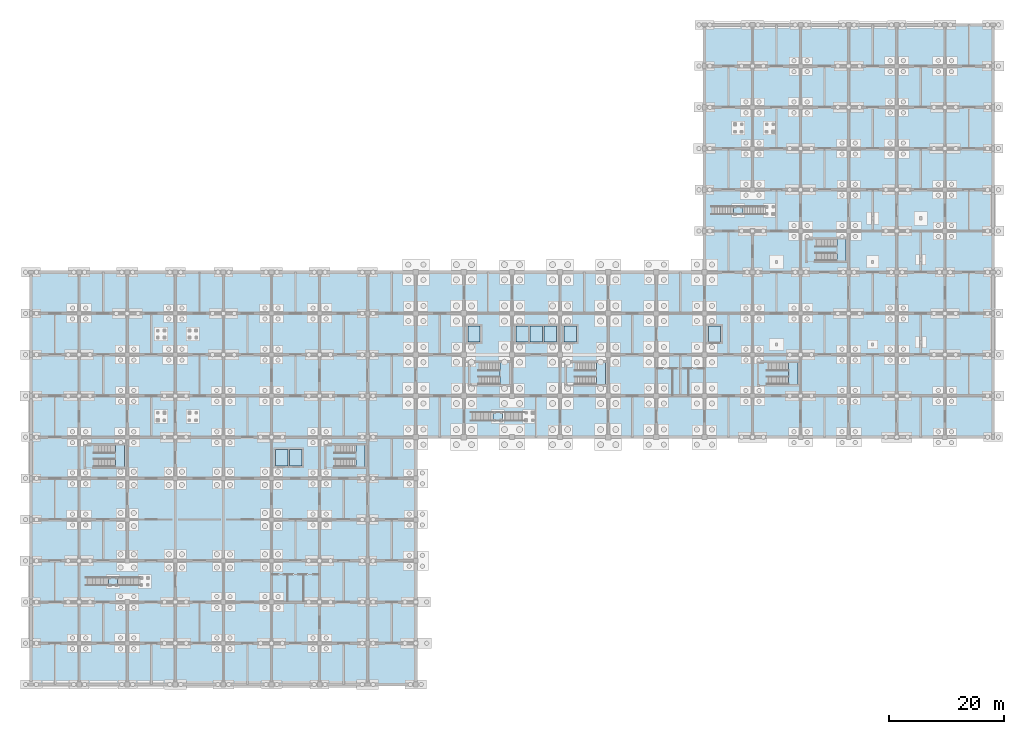
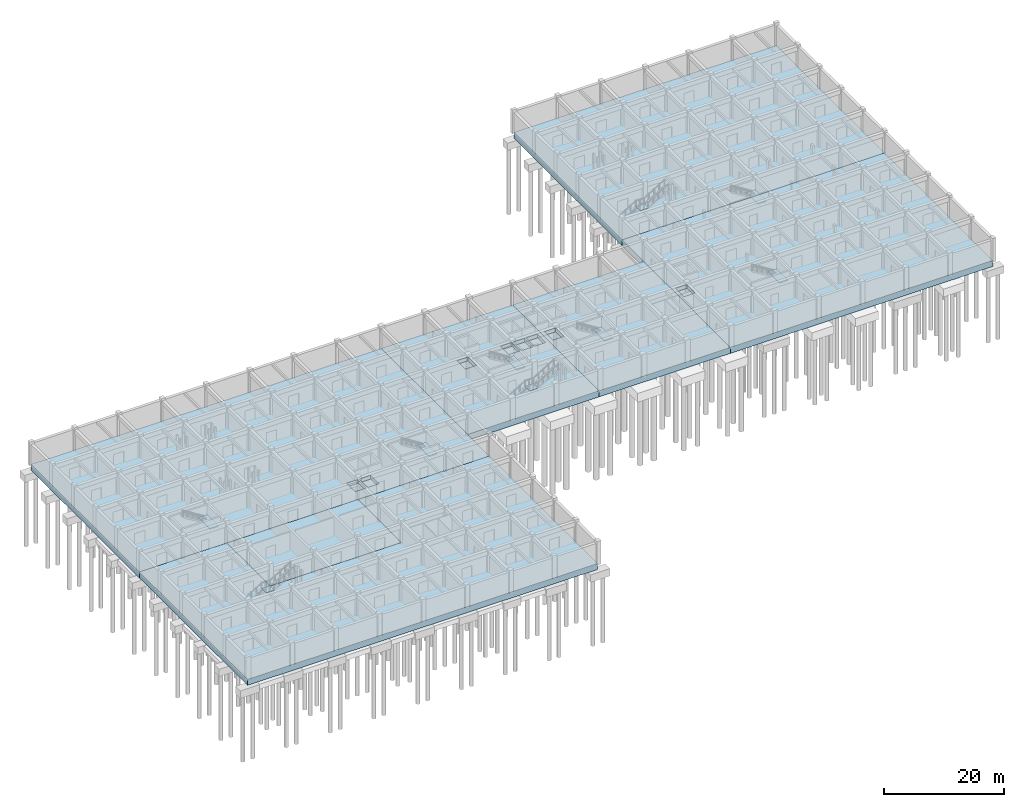
# One storey, part 20 of 38: 24 slabs, 9 elements without a shape of their own.
"""IFC4 building model written with IfcOpenShell, lengths in metres."""

from ifc_helpers import new_model, si_unit, derived_unit, direction, frame, origin, place, context, subcontext, project, spatial, polyline, outline, extrude, material, layer, layer_set, type_object, element, aggregate, save


model = new_model("IFC4")

# Units and contexts
model_context = context("Model", 3, precision=1e-05, world=origin(), true_north=direction((0.0, 1.0)))
body_context = subcontext(model_context, "Body", "Model", "MODEL_VIEW")
ifc_project = project(units=[si_unit("LENGTHUNIT", "METRE"), si_unit("AREAUNIT", "SQUARE_METRE"), si_unit("VOLUMEUNIT", "CUBIC_METRE"), si_unit("PLANEANGLEUNIT", "RADIAN"), si_unit("MASSUNIT", "GRAM", prefix="KILO"), derived_unit("THERMALTRANSMITTANCEUNIT", [(si_unit("MASSUNIT", "GRAM", prefix="KILO"), 1), (si_unit("TIMEUNIT", "SECOND"), -3), (si_unit("THERMODYNAMICTEMPERATUREUNIT", "KELVIN"), -1)])], contexts=[model_context])

# Site, building, storey
site_placement = place(None, origin())
site = spatial("IfcSite", under=ifc_project, at=site_placement, CompositionType="ELEMENT")
building_placement = place(site_placement, origin())
building = spatial("IfcBuilding", under=site, at=building_placement, Name="Veldstrom Oceanarium and Marine Research Institute", CompositionType="ELEMENT")
storey_placement = place(building_placement, frame((0.0, 0.0, -9.60009765625)))
storey = spatial("IfcBuildingStorey", under=building, at=storey_placement, Name="B02", CompositionType="ELEMENT", Elevation=-9.60009765625)

# Slabs
ifc_material_1 = material(Name="Concrete C40/50", Category="concrete")
ifc_layer_1 = layer(ifc_material_1, 0.449951171875)
ifc_layer_set_1 = layer_set([ifc_layer_1], Name="STR-SLB-BS0450")
slab_type_1 = type_object("IfcSlabType", Name="STR-SLB-BS0450", PredefinedType="BASESLAB", material=ifc_layer_set_1)
slab_1_placement = place(storey_placement, frame((0.0, 0.0, -1.199951171875)))
element("IfcSlab", 1, at=slab_1_placement, inside=storey, type_object=slab_type_1, Name="Lift Pit Base Slab LF1", PredefinedType="BASESLAB", context=body_context, shape_type="SweptSolid", body=[
    extrude(outline(polyline([(76.300048828125, 59.800048828125), (78.449951171875, 59.800048828125), (78.449951171875, 62.60009765625), (76.300048828125, 62.60009765625), (76.300048828125, 59.800048828125)])), origin(), (0.0, 0.0, 1.0), 0.449951171875),
])
slab_2_placement = place(storey_placement, frame((0.0, 0.0, -1.199951171875)))
element("IfcSlab", 2, at=slab_2_placement, inside=storey, type_object=slab_type_1, Name="Lift Pit Base Slab LF2", PredefinedType="BASESLAB", context=body_context, shape_type="SweptSolid", body=[
    extrude(outline(polyline([(93.10009765625, 59.800048828125), (95.25, 59.800048828125), (95.25, 62.60009765625), (93.10009765625, 62.60009765625), (93.10009765625, 59.800048828125)])), origin(), (0.0, 0.0, 1.0), 0.449951171875),
])
slab_3_placement = place(storey_placement, frame((0.0, 0.0, -1.199951171875)))
element("IfcSlab", 3, at=slab_3_placement, inside=storey, type_object=slab_type_1, Name="Lift Pit Base Slab LP1", PredefinedType="BASESLAB", context=body_context, shape_type="SweptSolid", body=[
    extrude(outline(polyline([(84.699951171875, 59.800048828125), (86.85009765625, 59.800048828125), (86.85009765625, 62.60009765625), (84.699951171875, 62.60009765625), (84.699951171875, 59.800048828125)])), origin(), (0.0, 0.0, 1.0), 0.449951171875),
])
slab_4_placement = place(storey_placement, frame((0.0, 0.0, -1.199951171875)))
element("IfcSlab", 4, at=slab_4_placement, inside=storey, type_object=slab_type_1, Name="Lift Pit Base Slab LP2", PredefinedType="BASESLAB", context=body_context, shape_type="SweptSolid", body=[
    extrude(outline(polyline([(87.14990234375, 59.800048828125), (89.300048828125, 59.800048828125), (89.300048828125, 62.60009765625), (87.14990234375, 62.60009765625), (87.14990234375, 59.800048828125)])), origin(), (0.0, 0.0, 1.0), 0.449951171875),
])
slab_5_placement = place(storey_placement, frame((0.0, 0.0, -1.199951171875)))
element("IfcSlab", 5, at=slab_5_placement, inside=storey, type_object=slab_type_1, Name="Lift Pit Base Slab LP3", PredefinedType="BASESLAB", context=body_context, shape_type="SweptSolid", body=[
    extrude(outline(polyline([(89.60009765625, 59.800048828125), (91.75, 59.800048828125), (91.75, 62.60009765625), (89.60009765625, 62.60009765625), (89.60009765625, 59.800048828125)])), origin(), (0.0, 0.0, 1.0), 0.449951171875),
])
slab_6_placement = place(storey_placement, frame((0.0, 0.0, -1.199951171875)))
element("IfcSlab", 6, at=slab_6_placement, inside=storey, type_object=slab_type_1, Name="Lift Pit Base Slab LP4", PredefinedType="BASESLAB", context=body_context, shape_type="SweptSolid", body=[
    extrude(outline(polyline([(42.699951171875, 38.199951171875), (44.85009765625, 38.199951171875), (44.85009765625, 41.0), (42.699951171875, 41.0), (42.699951171875, 38.199951171875)])), origin(), (0.0, 0.0, 1.0), 0.449951171875),
])
slab_7_placement = place(storey_placement, frame((0.0, 0.0, -1.199951171875)))
element("IfcSlab", 7, at=slab_7_placement, inside=storey, type_object=slab_type_1, Name="Lift Pit Base Slab LP5", PredefinedType="BASESLAB", context=body_context, shape_type="SweptSolid", body=[
    extrude(outline(polyline([(45.14990234375, 38.199951171875), (47.300048828125, 38.199951171875), (47.300048828125, 41.0), (45.14990234375, 41.0), (45.14990234375, 38.199951171875)])), origin(), (0.0, 0.0, 1.0), 0.449951171875),
])
slab_8_placement = place(storey_placement, frame((0.0, 0.0, -1.199951171875)))
element("IfcSlab", 8, at=slab_8_placement, inside=storey, type_object=slab_type_1, Name="Lift Pit Base Slab LG1", PredefinedType="BASESLAB", context=body_context, shape_type="SweptSolid", body=[
    extrude(outline(polyline([(118.300048828125, 59.800048828125), (120.449951171875, 59.800048828125), (120.449951171875, 62.60009765625), (118.300048828125, 62.60009765625), (118.300048828125, 59.800048828125)])), origin(), (0.0, 0.0, 1.0), 0.449951171875),
])
ifc_material_2 = material(Name="Concrete C40/50", Category="concrete")
ifc_layer_2 = layer(ifc_material_2, 1.199951171875)
ifc_layer_set_2 = layer_set([ifc_layer_2], Name="STR-SLB-BS1200")
slab_type_2 = type_object("IfcSlabType", Name="STR-SLB-BS1200", PredefinedType="BASESLAB", material=ifc_layer_set_2)
slab_9_placement = place(storey_placement, frame((0.0, 0.0, -1.199951171875)))
element("IfcSlab", 9, at=slab_9_placement, inside=storey, type_object=slab_type_2, Name="Slab SB-1200 B02 OT", PredefinedType="BASESLAB", context=body_context, shape_type="SweptSolid", body=[
    extrude(outline(polyline([(25.199951171875, 21.60009765625), (16.800048828125, 21.60009765625), (16.800048828125, 28.800048828125), (16.800048828125, 36.0), (25.199951171875, 36.0), (33.60009765625, 36.0), (42.0, 36.0), (42.0, 28.800048828125), (42.0, 21.60009765625), (33.60009765625, 21.60009765625), (25.199951171875, 21.60009765625)])), origin(), (0.0, 0.0, 1.0), 1.199951171875),
])
slab_10_placement = place(storey_placement, frame((0.0, 0.0, -1.199951171875)))
element("IfcSlab", 10, at=slab_10_placement, inside=storey, type_object=slab_type_2, Name="Slab SB-1200 B02 WS", PredefinedType="BASESLAB", context=body_context, shape_type="SweptSolid", body=[
    extrude(outline(polyline([(0.0, 36.0), (8.39990234375, 36.0), (16.800048828125, 36.0), (16.800048828125, 28.800048828125), (16.800048828125, 21.60009765625), (25.199951171875, 21.60009765625), (33.60009765625, 21.60009765625), (42.0, 21.60009765625), (42.0, 28.800048828125), (42.0, 36.0), (50.39990234375, 36.0), (58.800048828125, 36.0), (67.199951171875, 36.0), (67.199951171875, 28.800048828125), (67.199951171875, 21.60009765625), (67.199951171875, 14.39990234375), (67.199951171875, 7.199951171875), (67.199951171875, 0.0), (58.800048828125, 0.0), (50.39990234375, 0.0), (42.0, 0.0), (33.60009765625, 0.0), (25.199951171875, 0.0), (16.800048828125, 0.0), (8.39990234375, 0.0), (0.0, 0.0), (0.0, 7.199951171875), (0.0, 14.39990234375), (0.0, 21.60009765625), (0.0, 28.800048828125), (0.0, 36.0)])), origin(), (0.0, 0.0, 1.0), 1.199951171875),
])
slab_11_placement = place(storey_placement, frame((0.0, 0.0, -1.199951171875)))
element("IfcSlab", 11, at=slab_11_placement, inside=storey, type_object=slab_type_2, Name="Slab SB-1200 B02 WN", PredefinedType="BASESLAB", context=body_context, shape_type="SweptSolid", body=[
    extrude(outline(polyline([(0.0, 72.0), (8.39990234375, 72.0), (16.800048828125, 72.0), (25.199951171875, 72.0), (33.60009765625, 72.0), (42.0, 72.0), (50.39990234375, 72.0), (58.800048828125, 72.0), (67.199951171875, 72.0), (67.199951171875, 64.800048828125), (67.199951171875, 57.60009765625), (67.199951171875, 50.39990234375), (67.199951171875, 43.199951171875), (67.199951171875, 36.0), (58.800048828125, 36.0), (50.39990234375, 36.0), (42.0, 36.0), (33.60009765625, 36.0), (25.199951171875, 36.0), (16.800048828125, 36.0), (8.39990234375, 36.0), (0.0, 36.0), (0.0, 43.199951171875), (0.0, 50.39990234375), (0.0, 57.60009765625), (0.0, 64.800048828125), (0.0, 72.0)]), holes=[polyline([(42.699951171875, 38.199951171875), (44.85009765625, 38.199951171875), (44.85009765625, 41.0), (42.699951171875, 41.0), (42.699951171875, 38.199951171875)]), polyline([(45.14990234375, 41.0), (45.14990234375, 38.199951171875), (47.300048828125, 38.199951171875), (47.300048828125, 41.0), (45.14990234375, 41.0)])]), origin(), (0.0, 0.0, 1.0), 1.199951171875),
])
slab_12_placement = place(storey_placement, frame((0.0, 0.0, -1.199951171875)))
element("IfcSlab", 12, at=slab_12_placement, inside=storey, type_object=slab_type_2, Name="Slab SB-1200 B02 CW", PredefinedType="BASESLAB", context=body_context, shape_type="SweptSolid", body=[
    extrude(outline(polyline([(92.39990234375, 50.39990234375), (92.39990234375, 43.199951171875), (84.0, 43.199951171875), (75.60009765625, 43.199951171875), (67.199951171875, 43.199951171875), (67.199951171875, 50.39990234375), (67.199951171875, 57.60009765625), (67.199951171875, 64.800048828125), (67.199951171875, 72.0), (75.60009765625, 72.0), (84.0, 72.0), (92.39990234375, 72.0), (92.39990234375, 64.800048828125), (92.39990234375, 57.60009765625), (92.39990234375, 50.39990234375)]), holes=[polyline([(78.449951171875, 59.800048828125), (78.449951171875, 62.60009765625), (76.300048828125, 62.60009765625), (76.300048828125, 59.800048828125), (78.449951171875, 59.800048828125)]), polyline([(84.699951171875, 62.60009765625), (84.699951171875, 59.800048828125), (86.85009765625, 59.800048828125), (86.85009765625, 62.60009765625), (84.699951171875, 62.60009765625)]), polyline([(89.300048828125, 62.60009765625), (87.14990234375, 62.60009765625), (87.14990234375, 59.800048828125), (89.300048828125, 59.800048828125), (89.300048828125, 62.60009765625)]), polyline([(91.75, 59.800048828125), (91.75, 62.60009765625), (89.60009765625, 62.60009765625), (89.60009765625, 59.800048828125), (91.75, 59.800048828125)])]), origin(), (0.0, 0.0, 1.0), 1.199951171875),
])
slab_13_placement = place(storey_placement, frame((0.0, 0.0, -1.199951171875)))
element("IfcSlab", 13, at=slab_13_placement, inside=storey, type_object=slab_type_2, Name="Slab SB-1200 B02 CE", PredefinedType="BASESLAB", context=body_context, shape_type="SweptSolid", body=[
    extrude(outline(polyline([(117.60009765625, 57.60009765625), (117.60009765625, 50.39990234375), (117.60009765625, 43.199951171875), (109.199951171875, 43.199951171875), (100.800048828125, 43.199951171875), (92.39990234375, 43.199951171875), (92.39990234375, 50.39990234375), (92.39990234375, 57.60009765625), (92.39990234375, 64.800048828125), (92.39990234375, 72.0), (100.800048828125, 72.0), (109.199951171875, 72.0), (117.60009765625, 72.0), (117.60009765625, 64.800048828125), (117.60009765625, 57.60009765625)]), holes=[polyline([(93.10009765625, 59.800048828125), (95.25, 59.800048828125), (95.25, 62.60009765625), (93.10009765625, 62.60009765625), (93.10009765625, 59.800048828125)])]), origin(), (0.0, 0.0, 1.0), 1.199951171875),
])
slab_14_placement = place(storey_placement, frame((0.0, 0.0, -1.199951171875)))
element("IfcSlab", 14, at=slab_14_placement, inside=storey, type_object=slab_type_2, Name="Slab SB-1200 B02 ES", PredefinedType="BASESLAB", context=body_context, shape_type="SweptSolid", body=[
    extrude(outline(polyline([(168.0, 79.199951171875), (168.0, 72.0), (168.0, 64.800048828125), (168.0, 57.60009765625), (168.0, 50.39990234375), (168.0, 43.199951171875), (159.60009765625, 43.199951171875), (151.199951171875, 43.199951171875), (142.800048828125, 43.199951171875), (134.39990234375, 43.199951171875), (126.0, 43.199951171875), (117.60009765625, 43.199951171875), (117.60009765625, 50.39990234375), (117.60009765625, 57.60009765625), (117.60009765625, 64.800048828125), (117.60009765625, 72.0), (117.60009765625, 79.199951171875), (126.0, 79.199951171875), (134.39990234375, 79.199951171875), (142.800048828125, 79.199951171875), (151.199951171875, 79.199951171875), (159.60009765625, 79.199951171875), (168.0, 79.199951171875)]), holes=[polyline([(120.449951171875, 62.60009765625), (118.300048828125, 62.60009765625), (118.300048828125, 59.800048828125), (120.449951171875, 59.800048828125), (120.449951171875, 62.60009765625)])]), origin(), (0.0, 0.0, 1.0), 1.199951171875),
])
slab_15_placement = place(storey_placement, frame((0.0, 0.0, -1.199951171875)))
element("IfcSlab", 15, at=slab_15_placement, inside=storey, type_object=slab_type_2, Name="Slab SB-1200 B02 EN", PredefinedType="BASESLAB", context=body_context, shape_type="SweptSolid", body=[
    extrude(outline(polyline([(168.0, 115.199951171875), (168.0, 108.0), (168.0, 100.800048828125), (168.0, 93.60009765625), (168.0, 86.39990234375), (168.0, 79.199951171875), (159.60009765625, 79.199951171875), (151.199951171875, 79.199951171875), (142.800048828125, 79.199951171875), (134.39990234375, 79.199951171875), (126.0, 79.199951171875), (117.60009765625, 79.199951171875), (117.60009765625, 86.39990234375), (117.60009765625, 93.60009765625), (117.60009765625, 100.800048828125), (117.60009765625, 108.0), (117.60009765625, 115.199951171875), (126.0, 115.199951171875), (134.39990234375, 115.199951171875), (142.800048828125, 115.199951171875), (151.199951171875, 115.199951171875), (159.60009765625, 115.199951171875), (168.0, 115.199951171875)])), origin(), (0.0, 0.0, 1.0), 1.199951171875),
])

# Stair, slab
ifc_material_3 = material(Name="Concrete C40/50", Category="concrete")
stair_type_1 = type_object("IfcStairType", Name="ARC-STR-ST-480", PredefinedType="TWO_STRAIGHT_RUN_STAIR", material=ifc_material_3)
stair_1_placement = place(storey_placement, origin())
stair_1 = element("IfcStair", 16, at=stair_1_placement, inside=storey, type_object=stair_type_1, Name="Dog-Leg Escape Stair ST1-B02", PredefinedType="TWO_STRAIGHT_RUN_STAIR")
ifc_material_4 = material(Name="Concrete C40/50", Category="concrete")
ifc_layer_3 = layer(ifc_material_4, 0.179931640625)
ifc_layer_set_3 = layer_set([ifc_layer_3], Name="STR-SLB-LD180")
slab_type_3 = type_object("IfcSlabType", Name="STR-SLB-LD180", PredefinedType="LANDING", material=ifc_layer_set_3)
slab_16_placement = place(storey_placement, frame((0.0, 0.0, 2.22021484375)))
slab_16 = element("IfcSlab", 17, at=slab_16_placement, type_object=slab_type_3, Name="Stair Half-Landing ST1 B02", PredefinedType="LANDING", context=body_context, shape_type="SweptSolid", body=[
    extrude(outline(polyline([(81.919921875, 52.39990234375), (83.56005859375, 52.39990234375), (83.56005859375, 56.199951171875), (81.919921875, 56.199951171875), (81.919921875, 52.39990234375)])), origin(), (0.0, 0.0, 1.0), 0.179931640625),
])
aggregate(stair_1, [slab_16])

stair_2_placement = place(storey_placement, origin())
stair_2 = element("IfcStair", 18, at=stair_2_placement, inside=storey, type_object=stair_type_1, Name="Dog-Leg Escape Stair ST2-B02", PredefinedType="TWO_STRAIGHT_RUN_STAIR")
slab_17_placement = place(storey_placement, frame((0.0, 0.0, 2.22021484375)))
slab_17 = element("IfcSlab", 19, at=slab_17_placement, type_object=slab_type_3, Name="Stair Half-Landing ST2 B02", PredefinedType="LANDING", context=body_context, shape_type="SweptSolid", body=[
    extrude(outline(polyline([(98.719970703125, 52.39990234375), (100.360107421875, 52.39990234375), (100.360107421875, 56.199951171875), (98.719970703125, 56.199951171875), (98.719970703125, 52.39990234375)])), origin(), (0.0, 0.0, 1.0), 0.179931640625),
])
aggregate(stair_2, [slab_17])

stair_3_placement = place(storey_placement, origin())
stair_3 = element("IfcStair", 20, at=stair_3_placement, inside=storey, type_object=stair_type_1, Name="Dog-Leg Escape Stair ST3-B02", PredefinedType="TWO_STRAIGHT_RUN_STAIR")
slab_18_placement = place(storey_placement, frame((0.0, 0.0, 2.22021484375)))
slab_18 = element("IfcSlab", 21, at=slab_18_placement, type_object=slab_type_3, Name="Stair Half-Landing ST3 B02", PredefinedType="LANDING", context=body_context, shape_type="SweptSolid", body=[
    extrude(outline(polyline([(14.719970703125, 38.0), (16.360107421875, 38.0), (16.360107421875, 41.800048828125), (14.719970703125, 41.800048828125), (14.719970703125, 38.0)])), origin(), (0.0, 0.0, 1.0), 0.179931640625),
])
aggregate(stair_3, [slab_18])

stair_4_placement = place(storey_placement, origin())
stair_4 = element("IfcStair", 22, at=stair_4_placement, inside=storey, type_object=stair_type_1, Name="Dog-Leg Escape Stair ST4-B02", PredefinedType="TWO_STRAIGHT_RUN_STAIR")
slab_19_placement = place(storey_placement, frame((0.0, 0.0, 2.22021484375)))
slab_19 = element("IfcSlab", 23, at=slab_19_placement, type_object=slab_type_3, Name="Stair Half-Landing ST4 B02", PredefinedType="LANDING", context=body_context, shape_type="SweptSolid", body=[
    extrude(outline(polyline([(132.320068359375, 52.39990234375), (133.9599609375, 52.39990234375), (133.9599609375, 56.199951171875), (132.320068359375, 56.199951171875), (132.320068359375, 52.39990234375)])), origin(), (0.0, 0.0, 1.0), 0.179931640625),
])
aggregate(stair_4, [slab_19])

stair_5_placement = place(storey_placement, origin())
stair_5 = element("IfcStair", 24, at=stair_5_placement, inside=storey, type_object=stair_type_1, Name="Dog-Leg Escape Stair ST6-B02", PredefinedType="TWO_STRAIGHT_RUN_STAIR")
slab_20_placement = place(storey_placement, frame((0.0, 0.0, 2.22021484375)))
slab_20 = element("IfcSlab", 25, at=slab_20_placement, type_object=slab_type_3, Name="Stair Half-Landing ST6 B02", PredefinedType="LANDING", context=body_context, shape_type="SweptSolid", body=[
    extrude(outline(polyline([(56.719970703125, 38.0), (58.360107421875, 38.0), (58.360107421875, 41.800048828125), (56.719970703125, 41.800048828125), (56.719970703125, 38.0)])), origin(), (0.0, 0.0, 1.0), 0.179931640625),
])
aggregate(stair_5, [slab_20])

stair_6_placement = place(storey_placement, origin())
stair_6 = element("IfcStair", 26, at=stair_6_placement, inside=storey, type_object=stair_type_1, Name="Dog-Leg Escape Stair ST7-B02", PredefinedType="TWO_STRAIGHT_RUN_STAIR")
slab_21_placement = place(storey_placement, frame((0.0, 0.0, 2.22021484375)))
slab_21 = element("IfcSlab", 27, at=slab_21_placement, type_object=slab_type_3, Name="Stair Half-Landing ST7 B02", PredefinedType="LANDING", context=body_context, shape_type="SweptSolid", body=[
    extrude(outline(polyline([(140.719970703125, 74.0), (142.360107421875, 74.0), (142.360107421875, 77.800048828125), (140.719970703125, 77.800048828125), (140.719970703125, 74.0)])), origin(), (0.0, 0.0, 1.0), 0.179931640625),
])
aggregate(stair_6, [slab_21])

ifc_material_5 = material(Name="Concrete C40/50", Category="concrete")
stair_type_2 = type_object("IfcStairType", Name="ARC-STR-ST-FC1", PredefinedType="STRAIGHT_RUN_STAIR", material=ifc_material_5)
stair_7_placement = place(storey_placement, origin())
stair_7 = element("IfcStair", 28, at=stair_7_placement, inside=storey, type_object=stair_type_2, Name="Gallery Concourse Straight Stair ST5-01", PredefinedType="STRAIGHT_RUN_STAIR")
slab_22_placement = place(storey_placement, frame((0.0, 0.0, 2.22021484375)))
slab_22 = element("IfcSlab", 29, at=slab_22_placement, type_object=slab_type_3, Name="Gallery Straight Stair Mid-Landing ST5-01", PredefinedType="LANDING", context=body_context, shape_type="SweptSolid", body=[
    extrude(outline(polyline([(13.52001953125, 17.215087890625), (15.1201171875, 17.215087890625), (15.1201171875, 18.784912109375), (13.52001953125, 18.784912109375), (13.52001953125, 17.215087890625)])), origin(), (0.0, 0.0, 1.0), 0.179931640625),
])
aggregate(stair_7, [slab_22])

ifc_material_6 = material(Name="Concrete C40/50", Category="concrete")
stair_type_3 = type_object("IfcStairType", Name="ARC-STR-ST-FC2", PredefinedType="STRAIGHT_RUN_STAIR", material=ifc_material_6)
stair_8_placement = place(storey_placement, origin())
stair_8 = element("IfcStair", 30, at=stair_8_placement, inside=storey, type_object=stair_type_3, Name="Gallery Concourse Straight Stair ST5-02", PredefinedType="STRAIGHT_RUN_STAIR")
slab_23_placement = place(storey_placement, frame((0.0, 0.0, 2.22021484375)))
slab_23 = element("IfcSlab", 31, at=slab_23_placement, type_object=slab_type_3, Name="Gallery Straight Stair Mid-Landing ST5-02", PredefinedType="LANDING", context=body_context, shape_type="SweptSolid", body=[
    extrude(outline(polyline([(80.719970703125, 45.965087890625), (82.320068359375, 45.965087890625), (82.320068359375, 47.635009765625), (80.719970703125, 47.635009765625), (80.719970703125, 45.965087890625)])), origin(), (0.0, 0.0, 1.0), 0.179931640625),
])
aggregate(stair_8, [slab_23])

stair_9_placement = place(storey_placement, origin())
stair_9 = element("IfcStair", 32, at=stair_9_placement, inside=storey, type_object=stair_type_2, Name="Gallery Concourse Straight Stair ST5-03", PredefinedType="STRAIGHT_RUN_STAIR")
slab_24_placement = place(storey_placement, frame((0.0, 0.0, 2.22021484375)))
slab_24 = element("IfcSlab", 33, at=slab_24_placement, type_object=slab_type_3, Name="Gallery Straight Stair Mid-Landing ST5-03", PredefinedType="LANDING", context=body_context, shape_type="SweptSolid", body=[
    extrude(outline(polyline([(122.719970703125, 82.014892578125), (124.320068359375, 82.014892578125), (124.320068359375, 83.5849609375), (122.719970703125, 83.5849609375), (122.719970703125, 82.014892578125)])), origin(), (0.0, 0.0, 1.0), 0.179931640625),
])
aggregate(stair_9, [slab_24])

save(model, "model.ifc")
